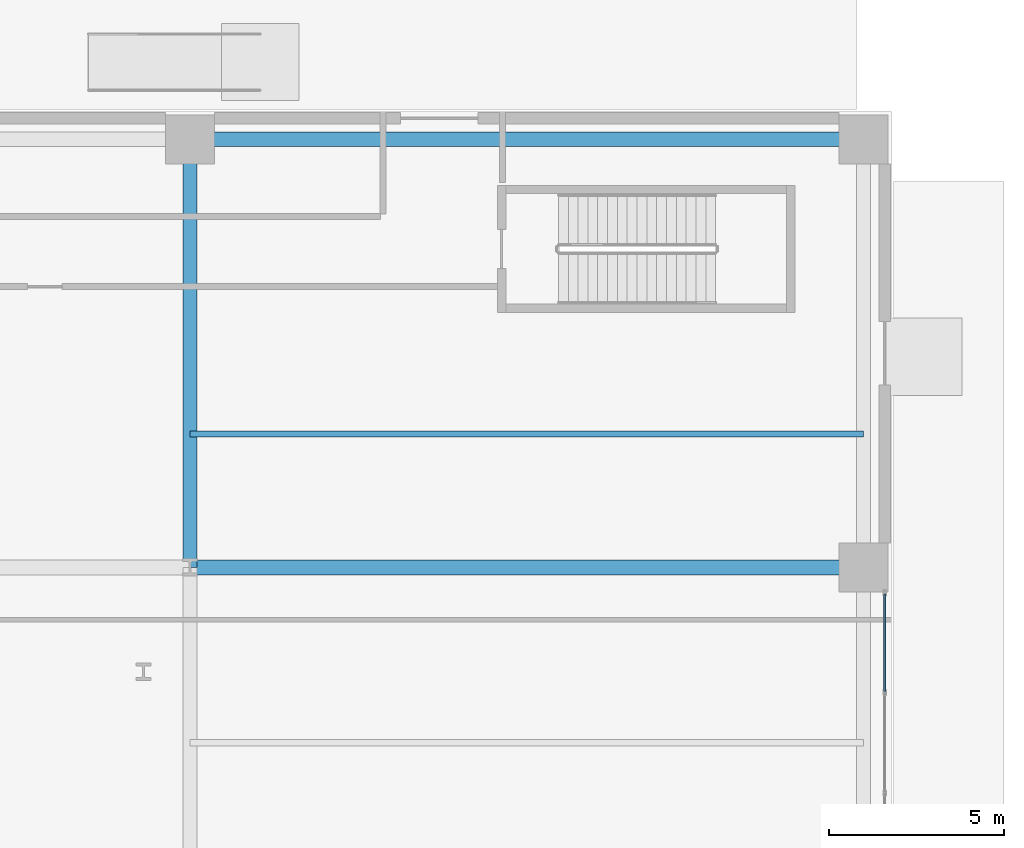
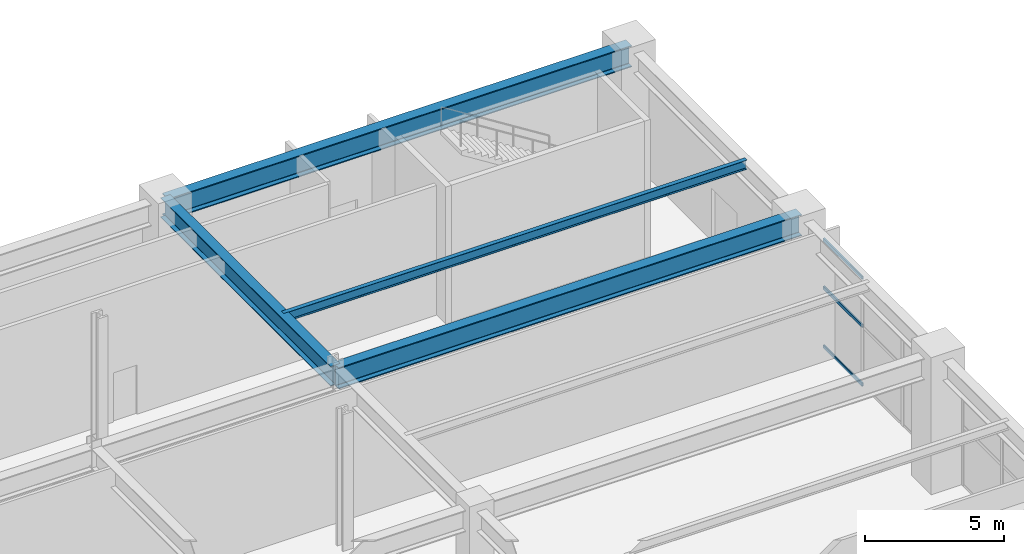
# One storey, part 17 of 31: 4 beams, 3 members, 1 element without a shape of its own.
"""IFC4 building model written with IfcOpenShell, lengths in metres."""

from ifc_helpers import new_model, si_unit, direction, frame, origin, origin_2d, place, context, subcontext, project, spatial, hollow_rectangle, i_section, extrude, material, layer, layer_set, material_profile, profile_set, type_object, element, aggregate, save


model = new_model("IFC4")

# Units and contexts
model_context = context("Model", 3, precision=1e-05, world=origin(), true_north=direction((0.0, 1.0)))
body_context = subcontext(model_context, "Body", "Model", "MODEL_VIEW")
ifc_project = project(units=[si_unit("LENGTHUNIT", "METRE"), si_unit("AREAUNIT", "SQUARE_METRE"), si_unit("VOLUMEUNIT", "CUBIC_METRE"), si_unit("PLANEANGLEUNIT", "RADIAN"), si_unit("MASSUNIT", "GRAM", prefix="KILO")], contexts=[model_context])

# Site, building, storey
site_placement = place(None, origin())
site = spatial("IfcSite", under=ifc_project, at=site_placement, CompositionType="ELEMENT")
building_placement = place(site_placement, origin())
building = spatial("IfcBuilding", under=site, at=building_placement, Name="Soratama Intermodal Tower", CompositionType="ELEMENT")
storey_placement = place(building_placement, origin())
storey = spatial("IfcBuildingStorey", under=building, at=storey_placement, Name="L00", CompositionType="ELEMENT", Elevation=0.0)

# Beams
ifc_material_1 = material(Name="Structural steel ASTM A992 Grade 50", Category="steel")
ifc_material_profile_1 = material_profile(ifc_material_1, i_section(OverallWidth=0.177978515625, OverallDepth=0.406982421875, WebThickness=0.0078125, FlangeThickness=0.0126953125, FilletRadius=0.010009765625, at=origin_2d()), Name="W16X40")
ifc_profile_set_1 = profile_set([ifc_material_profile_1], Name="Structural steel ASTM A992 Grade 50")
beam_type_1 = type_object("IfcBeamType", Name="BM-JST-W16X40", PredefinedType="JOIST", material=ifc_profile_set_1)
beam_1_placement = place(storey_placement, frame((64.0, 38.800048828125, 5.4765625), z_axis=(1.0, 0.0, 0.0), x_axis=(0.0, 1.0, 0.0)))
element("IfcBeam", 1, at=beam_1_placement, inside=storey, type_object=beam_type_1, Name="JST-L00-E4", PredefinedType="JOIST", context=body_context, shape_type="SweptSolid", body=[
    extrude(i_section(OverallWidth=0.177978515625, OverallDepth=0.406982421875, WebThickness=0.0078125, FlangeThickness=0.0126953125, FilletRadius=0.010009765625, at=origin_2d()), origin(), (0.0, 0.0, 1.0), 19.199951171875),
])
ifc_material_2 = material(Name="Structural steel ASTM A992 Grade 50", Category="steel")
ifc_material_profile_2 = material_profile(ifc_material_2, i_section(OverallWidth=0.423095703125, OverallDepth=0.93896484375, WebThickness=0.02392578125, FlangeThickness=0.042724609375, FilletRadius=0.02392578125, at=origin_2d()), Name="W36X302")
ifc_profile_set_2 = profile_set([ifc_material_profile_2], Name="Structural steel ASTM A992 Grade 50")
beam_type_2 = type_object("IfcBeamType", Name="BM-POD-EXT-W36", PredefinedType="BEAM", material=ifc_profile_set_2)
beam_2_placement = place(storey_placement, frame((64.0, 47.199951171875, 5.21044921875), z_axis=(1.0, 0.0, 0.0), x_axis=(0.0, 1.0, 0.0)))
element("IfcBeam", 2, at=beam_2_placement, inside=storey, type_object=beam_type_2, Name="L00 Station Girder X5-5", PredefinedType="BEAM", context=body_context, shape_type="SweptSolid", body=[
    extrude(i_section(OverallWidth=0.423095703125, OverallDepth=0.93896484375, WebThickness=0.02392578125, FlangeThickness=0.042724609375, FilletRadius=0.02392578125, at=origin_2d()), origin(), (0.0, 0.0, 1.0), 19.199951171875),
])
ifc_material_3 = material(Name="Structural steel ASTM A992 Grade 50", Category="steel")
ifc_material_profile_3 = material_profile(ifc_material_3, i_section(OverallWidth=0.403076171875, OverallDepth=0.867919921875, WebThickness=0.02099609375, FlangeThickness=0.03564453125, FilletRadius=0.01806640625, at=origin_2d()), Name="W33X241")
ifc_profile_set_3 = profile_set([ifc_material_profile_3], Name="Structural steel ASTM A992 Grade 50")
beam_type_3 = type_object("IfcBeamType", Name="BM-POD-W33X241", PredefinedType="BEAM", material=ifc_profile_set_3)
beam_3_placement = place(storey_placement, frame((64.0, 35.0, 5.24609375), z_axis=(0.0, 1.0, 0.0), x_axis=(-1.0, 0.0, 0.0)))
element("IfcBeam", 3, at=beam_3_placement, inside=storey, type_object=beam_type_3, Name="L00 Station Girder Y3-4", PredefinedType="BEAM", context=body_context, shape_type="SweptSolid", body=[
    extrude(i_section(OverallWidth=0.403076171875, OverallDepth=0.867919921875, WebThickness=0.02099609375, FlangeThickness=0.03564453125, FilletRadius=0.01806640625, at=origin_2d()), origin(), (0.0, 0.0, 1.0), 12.199951171875),
])
ifc_material_4 = material(Name="Structural steel ASTM A992 Grade 50", Category="steel")
ifc_material_profile_4 = material_profile(ifc_material_4, i_section(OverallWidth=0.423095703125, OverallDepth=0.93896484375, WebThickness=0.02392578125, FlangeThickness=0.042724609375, FilletRadius=0.02392578125, at=origin_2d()), Name="W36X302")
ifc_profile_set_4 = profile_set([ifc_material_profile_4], Name="Structural steel ASTM A992 Grade 50")
beam_type_4 = type_object("IfcBeamType", Name="BM-POD-W36X302", PredefinedType="BEAM", material=ifc_profile_set_4)
beam_4_placement = place(storey_placement, frame((64.0, 35.0, 5.21044921875), z_axis=(1.0, 0.0, 0.0), x_axis=(0.0, 1.0, 0.0)))
element("IfcBeam", 4, at=beam_4_placement, inside=storey, type_object=beam_type_4, Name="L00 Station Girder X4-5", PredefinedType="BEAM", context=body_context, shape_type="SweptSolid", body=[
    extrude(i_section(OverallWidth=0.423095703125, OverallDepth=0.93896484375, WebThickness=0.02392578125, FlangeThickness=0.042724609375, FilletRadius=0.02392578125, at=origin_2d()), origin(), (0.0, 0.0, 1.0), 19.199951171875),
])

# Curtain wall, members
ifc_material_5 = material(Name="Double-glazed aluminium curtain wall", Category="aluminium")
ifc_layer = layer(ifc_material_5, 0.159912109375)
ifc_layer_set = layer_set([ifc_layer], Name="Double-glazed aluminium curtain wall")
curtain_wall_type = type_object("IfcCurtainWallType", Name="CW-SYS-1", PredefinedType="NOTDEFINED", material=ifc_layer_set)
curtain_wall_placement = place(storey_placement, origin())
curtain_wall = element("IfcCurtainWall", 5, at=curtain_wall_placement, inside=storey, type_object=curtain_wall_type, Name="L00 Station Curtain Wall E2", PredefinedType="NOTDEFINED")
ifc_material_6 = material(Name="Anodised aluminium AA 6063-T6", Category="aluminium")
ifc_material_profile_5 = material_profile(ifc_material_6, hollow_rectangle(XDim=0.06494140625, YDim=0.14990234375, WallThickness=0.0048828125, InnerFilletRadius=0.0048828125, OuterFilletRadius=0.010009765625, at=origin_2d()), Name="CWT150X65X5")
ifc_profile_set_5 = profile_set([ifc_material_profile_5], Name="Anodised aluminium AA 6063-T6")
member_type = type_object("IfcMemberType", Name="TT-CWT-1", PredefinedType="USERDEFINED", material=ifc_profile_set_5)
member_1_placement = place(storey_placement, frame((83.800048828125, 31.46337890625, 0.030029296875), z_axis=(0.0, 1.0, 0.0), x_axis=(-1.0, 0.0, 0.0)))
member_1 = element("IfcMember", 6, at=member_1_placement, type_object=member_type, Name="CW-1 transom 3.1", ObjectType="TRANSOM", PredefinedType="USERDEFINED", context=body_context, shape_type="SweptSolid", body=[
    extrude(hollow_rectangle(XDim=0.06494140625, YDim=0.14990234375, WallThickness=0.0048828125, InnerFilletRadius=0.0048828125, OuterFilletRadius=0.010009765625, at=origin_2d()), origin(), (0.0, 0.0, 1.0), 2.776611328125),
])
member_2_placement = place(storey_placement, frame((83.800048828125, 31.46337890625, 2.60009765625), z_axis=(0.0, 1.0, 0.0), x_axis=(-1.0, 0.0, 0.0)))
member_2 = element("IfcMember", 7, at=member_2_placement, type_object=member_type, Name="CW-1 transom 3.2", ObjectType="TRANSOM", PredefinedType="USERDEFINED", context=body_context, shape_type="SweptSolid", body=[
    extrude(hollow_rectangle(XDim=0.06494140625, YDim=0.14990234375, WallThickness=0.0048828125, InnerFilletRadius=0.0048828125, OuterFilletRadius=0.010009765625, at=origin_2d()), origin(), (0.0, 0.0, 1.0), 2.776611328125),
])
member_3_placement = place(storey_placement, frame((83.800048828125, 31.46337890625, 4.7060546875), z_axis=(0.0, 1.0, 0.0), x_axis=(-1.0, 0.0, 0.0)))
member_3 = element("IfcMember", 8, at=member_3_placement, type_object=member_type, Name="CW-1 transom 3.3", ObjectType="TRANSOM", PredefinedType="USERDEFINED", context=body_context, shape_type="SweptSolid", body=[
    extrude(hollow_rectangle(XDim=0.06494140625, YDim=0.14990234375, WallThickness=0.0048828125, InnerFilletRadius=0.0048828125, OuterFilletRadius=0.010009765625, at=origin_2d()), origin(), (0.0, 0.0, 1.0), 2.776611328125),
])
aggregate(curtain_wall, [member_1, member_2, member_3])

save(model, "model.ifc")
